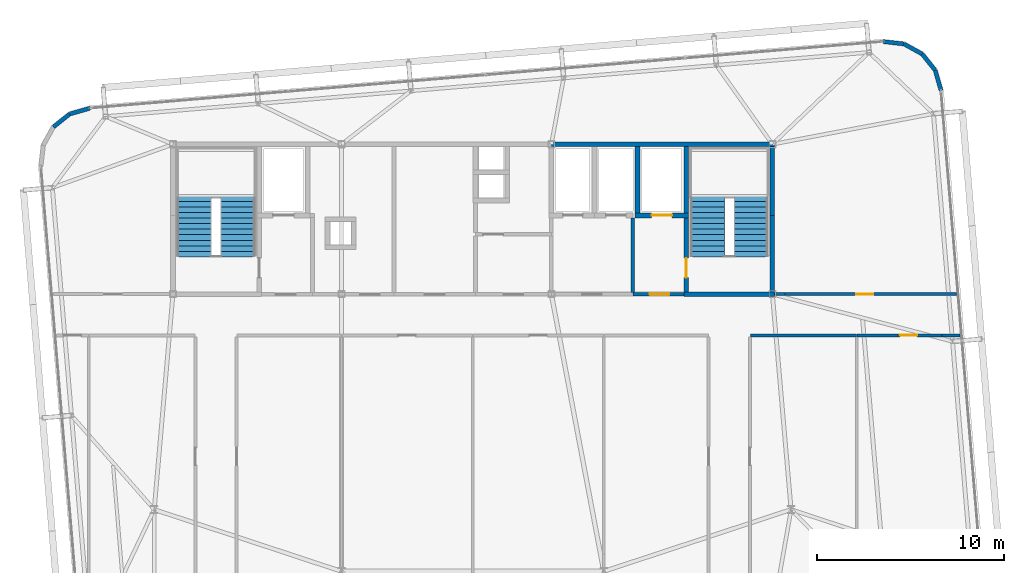
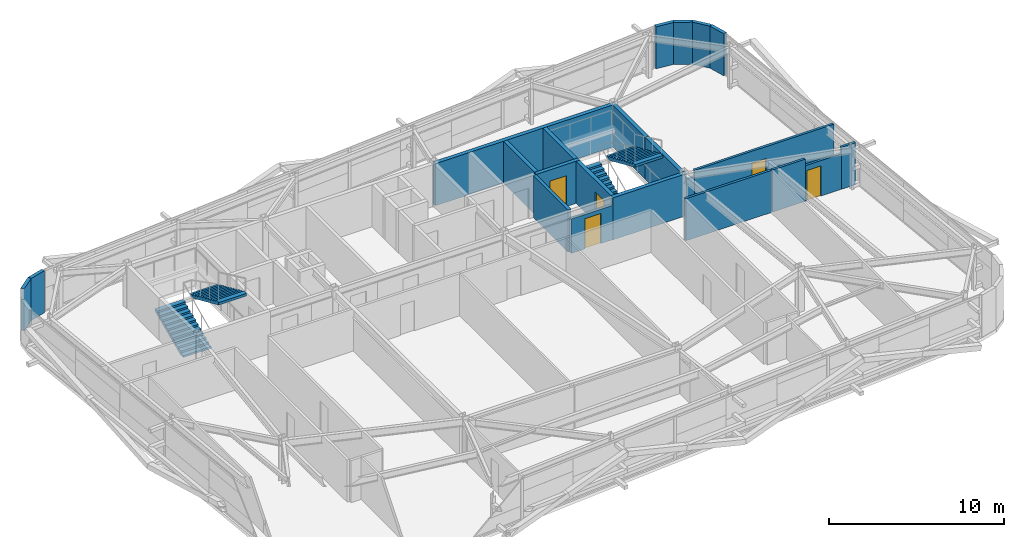
# One storey, part 37 of 39: 22 walls, 5 doors, 4 stair flights, 5 openings, 2 elements without a shape of their own.
"""IFC4 building model written with IfcOpenShell, lengths in metres."""

from ifc_helpers import new_model, si_unit, direction, frame, frame_2d, origin, place, context, subcontext, project, spatial, polyline, rectangle, outline, extrude, source, transform, mapped, material, layer, layer_set, type_object, element, fill, aggregate, save


model = new_model("IFC4")

# Units and contexts
model_context = context("Model", 3, precision=1e-05, world=origin(), true_north=direction((0.0, 1.0)))
body_context = subcontext(model_context, "Body", "Model", "MODEL_VIEW")
ifc_project = project(units=[si_unit("LENGTHUNIT", "METRE"), si_unit("AREAUNIT", "SQUARE_METRE"), si_unit("VOLUMEUNIT", "CUBIC_METRE"), si_unit("PLANEANGLEUNIT", "RADIAN"), si_unit("MASSUNIT", "GRAM", prefix="KILO")], contexts=[model_context])

# Site, building, storey
site_placement = place(None, origin())
site = spatial("IfcSite", under=ifc_project, at=site_placement, CompositionType="ELEMENT")
building_placement = place(site_placement, origin())
building = spatial("IfcBuilding", under=site, at=building_placement, Name="Taldren Reach Tower", CompositionType="ELEMENT")
storey_placement = place(building_placement, frame((0.0, 0.0, 175.699951171875)))
storey = spatial("IfcBuildingStorey", under=building, at=storey_placement, Name="L53", CompositionType="ELEMENT", Elevation=175.699951171875)

# Walls
ifc_material_1 = material(Name="Pale Champagne Anodised Aluminium Cladding", Category="aluminium")
ifc_layer_1 = layer(ifc_material_1, 0.04, Name="Pale Champagne Anodised Aluminium Cladding", Category="aluminium")
ifc_material_2 = material(Name="Mineral Wool Acoustic Insulation", Category="insulation")
ifc_layer_2 = layer(ifc_material_2, 0.06, Name="Mineral Wool Acoustic Insulation", Category="insulation")
ifc_material_3 = material(Name="Steel Gr 350 (C350L0)", Category="steel")
ifc_layer_3 = layer(ifc_material_3, 0.12, Name="Steel Gr 350 (C350L0)", Category="steel")
ifc_layer_set_1 = layer_set([ifc_layer_1, ifc_layer_2, ifc_layer_3], Name="Pale Champagne Aluminium Cladding and Steel Gr 350 Stud Framing")
wall_type_1 = type_object("IfcWallType", Name="EW-CRN-220", PredefinedType="SOLIDWALL", material=ifc_layer_set_1)
shared_shape_1 = source(origin(), body_context, "Body", "SweptSolid", [
    extrude(rectangle(XDim=1.115966796875, YDim=0.219970703125, at=frame_2d((0.55810546875, 0.0))), origin(), (0.0, 0.0, 1.0), 2.929931640625),
])
for number, where, z_axis, x_axis, name in (
    (1, (60.004150390625, 34.870361328125, 0.0), (0.0, 0.0, 1.0), (-0.276512002475, 0.961010464297, 0.0), "Rounded-corner pale-metal facade wall L53-NE1"),
    (2, (59.695556640625, 35.94287109375, 0.0), (0.0, 0.0, 1.0), (-0.623092886403, 0.782147847222, 0.0), "Rounded-corner pale-metal facade wall L53-NE2"),
    (3, (59.000244140625, 36.815673828125, 0.0), (0.0, 0.0, 1.0), (-0.875105012065, 0.483933071672, 0.0), "Rounded-corner pale-metal facade wall L53-NE3"),
    (4, (58.023681640625, 37.355712890625, 0.0), (0.0, 0.0, 1.0), (-0.993657581277, 0.112448259968, 0.0), "Rounded-corner pale-metal facade wall L53-NE4"),
    (5, (14.56396484375, 33.9248046875, 0.0), (0.0, 0.0, 1.0), (-0.961010464297, -0.276512002475, 0.0), "Rounded-corner pale-metal facade wall L53-NW1"),
):
    element("IfcWall", number, at=place(storey_placement, frame(where, z_axis=z_axis, x_axis=x_axis)), inside=storey, type_object=wall_type_1, Name=name, PredefinedType="SOLIDWALL", context=body_context, shape_type="MappedRepresentation", body=[
        mapped(shared_shape_1, transform((0.0, 0.0, 0.0), scale=1.0)),
    ])
shared_shape_2 = source(origin(), body_context, "Body", "SweptSolid", [
    extrude(rectangle(XDim=1.11572265625, YDim=0.219970703125, at=frame_2d((0.557861328125, 0.0))), origin(), (0.0, 0.0, 1.0), 2.929931640625),
])
wall_1_placement = place(storey_placement, frame((13.491455078125, 33.6162109375, 0.0), z_axis=(0.0, 0.0, 1.0), x_axis=(-0.782062884215, -0.623199522732, 0.0)))
element("IfcWall", 6, at=wall_1_placement, inside=storey, type_object=wall_type_1, Name="Rounded-corner pale-metal facade wall L53-NW2", PredefinedType="SOLIDWALL", context=body_context, shape_type="MappedRepresentation", body=[
    mapped(shared_shape_2, transform((0.0, 0.0, 0.0), scale=1.0)),
])
ifc_material_4 = material(Name="Concrete S65 (65 MPa)", Category="concrete")
ifc_layer_4 = layer(ifc_material_4, 0.25)
ifc_layer_set_2 = layer_set([ifc_layer_4], Name="Concrete S65 (65 MPa)")
wall_type_2 = type_object("IfcWallType", Name="IW-CORE-250", PredefinedType="SHEAR", material=ifc_layer_set_2)
shared_shape_3 = source(origin(), body_context, "Body", "SweptSolid", [
    extrude(rectangle(XDim=11.925048828125, YDim=0.25, at=frame_2d((5.96240234375, 0.0))), origin(), (0.0, 0.0, 1.0), 2.929931640625),
])
wall_2_placement = place(storey_placement, frame((39.199951171875, 32.0, 0.0), z_axis=(0.0, 0.0, 1.0), x_axis=(1.0, 0.0, 0.0)))
element("IfcWall", 7, at=wall_2_placement, inside=storey, type_object=wall_type_2, Name="Rear Core Shear Wall W-CORE-L53-NORTH3", PredefinedType="SHEAR", context=body_context, shape_type="MappedRepresentation", body=[
    mapped(shared_shape_3, transform((0.0, 0.0, 0.0), scale=1.0)),
])
shared_shape_4 = source(origin(), body_context, "Body", "SweptSolid", [
    extrude(rectangle(XDim=4.074951171875, YDim=0.25, at=frame_2d((2.03759765625, 0.0))), origin(), (0.0, 0.0, 1.0), 2.929931640625),
])
wall_3_placement = place(storey_placement, frame((51.0, 24.125, 0.0), z_axis=(0.0, 0.0, 1.0), x_axis=(0.0, 1.0, 0.0)))
element("IfcWall", 8, at=wall_3_placement, inside=storey, type_object=wall_type_2, Name="Rear Core Shear Wall W-CORE-L53-EAST1", PredefinedType="SHEAR", context=body_context, shape_type="MappedRepresentation", body=[
    mapped(shared_shape_4, transform((0.0, 0.0, 0.0), scale=1.0)),
])
shared_shape_5 = source(origin(), body_context, "Body", "SweptSolid", [
    extrude(rectangle(XDim=3.675048828125, YDim=0.25, at=frame_2d((1.83740234375, 0.0))), origin(), (0.0, 0.0, 1.0), 2.929931640625),
])
wall_4_placement = place(storey_placement, frame((51.0, 28.199951171875, 0.0), z_axis=(0.0, 0.0, 1.0), x_axis=(0.0, 1.0, 0.0)))
element("IfcWall", 9, at=wall_4_placement, inside=storey, type_object=wall_type_2, Name="Rear Core Shear Wall W-CORE-L53-EAST2", PredefinedType="SHEAR", context=body_context, shape_type="MappedRepresentation", body=[
    mapped(shared_shape_5, transform((0.0, 0.0, 0.0), scale=1.0)),
])
shared_shape_6 = source(origin(), body_context, "Body", "SweptSolid", [
    extrude(rectangle(XDim=3.550048828125, YDim=0.25, at=frame_2d((1.77490234375, 0.0))), origin(), (0.0, 0.0, 1.0), 2.929931640625),
])
for number, where, z_axis, x_axis, name in (
    (10, (46.39990234375, 31.875, 0.0), (0.0, 0.0, 1.0), (0.0, -1.0, 0.0), "Rear Core Shear Wall W-INT-L53-008"),
    (11, (43.800048828125, 31.875, 0.0), (0.0, 0.0, 1.0), (0.0, -1.0, 0.0), "Rear Core Shear Wall W-INT-L53-012"),
):
    element("IfcWall", number, at=place(storey_placement, frame(where, z_axis=z_axis, x_axis=x_axis)), inside=storey, type_object=wall_type_2, Name=name, PredefinedType="SHEAR", context=body_context, shape_type="MappedRepresentation", body=[
        mapped(shared_shape_6, transform((0.0, 0.0, 0.0), scale=1.0)),
    ])

# Wall, opening, door
shared_shape_7 = source(origin(), body_context, "Body", "SweptSolid", [
    extrude(rectangle(XDim=3.949951171875, YDim=0.25, at=frame_2d((1.97509765625, 0.0))), origin(), (0.0, 0.0, 1.0), 2.929931640625),
])
wall_5_placement = place(storey_placement, frame((46.39990234375, 28.074951171875, 0.0), z_axis=(0.0, 0.0, 1.0), x_axis=(0.0, -1.0, 0.0)))
wall_5 = element("IfcWall", 12, at=wall_5_placement, inside=storey, type_object=wall_type_2, Name="Rear Core Shear Wall W-INT-L53-009", PredefinedType="SHEAR", context=body_context, shape_type="MappedRepresentation", body=[
    mapped(shared_shape_7, transform((0.0, 0.0, 0.0), scale=1.0)),
])
shared_shape_8 = source(origin(), body_context, "Body", "SweptSolid", [
    extrude(rectangle(XDim=1.050048828125, YDim=2.10009765625, at=frame_2d((0.52490234375, 1.050048828125))), frame((0.0, 0.135009765625, 0.0), z_axis=(0.0, -1.0, 0.0), x_axis=(1.0, 0.0, 0.0)), (0.0, 0.0, 1.0), 0.27001953125),
])
opening_1_placement = place(wall_5_placement, frame((2.14990234375, 0.0, 0.0)))
opening_1 = element("IfcOpeningElement", 13, at=opening_1_placement, cuts=wall_5, Name="Opening DF-105", PredefinedType="OPENING", context=body_context, shape_type="MappedRepresentation", body=[
    mapped(shared_shape_8, transform((0.0, 0.0, 0.0), scale=1.0)),
])
ifc_material_5 = material(Name="Fire-Rated Care and Stair Exit Door")
door_type_1 = type_object("IfcDoorType", Name="ID-FIRE-105", OperationType="NOTDEFINED", PredefinedType="DOOR", material=ifc_material_5)
shared_shape_9 = source(origin(), body_context, "Body", "SweptSolid", [
    extrude(rectangle(XDim=1.050048828125, YDim=2.10009765625, at=frame_2d((0.52490234375, 1.050048828125))), frame((0.0, 0.02490234375, 0.0), z_axis=(0.0, -1.0, 0.0), x_axis=(1.0, 0.0, 0.0)), (0.0, 0.0, 1.0), 0.050048828125),
])
door_1_placement = place(opening_1_placement, origin())
door_1 = element("IfcDoor", 14, at=door_1_placement, inside=storey, type_object=door_type_1, Name="Fire Exit Stair Door DR-L53-003", OperationType="SINGLE_SWING_RIGHT", OverallHeight=2.10009765625, OverallWidth=1.050048828125, PredefinedType="DOOR", context=body_context, shape_type="MappedRepresentation", body=[
    mapped(shared_shape_9, transform((0.0, 0.0, 0.0), scale=1.0)),
])
fill(opening_1, door_1)

# Wall
shared_shape_10 = source(origin(), body_context, "Body", "SweptSolid", [
    extrude(rectangle(XDim=4.85009765625, YDim=0.25, at=frame_2d((2.425048828125, 0.0))), origin(), (0.0, 0.0, 1.0), 2.929931640625),
])
wall_6_placement = place(storey_placement, frame((46.27490234375, 24.0, 0.0), z_axis=(0.0, 0.0, 1.0), x_axis=(1.0, 0.0, 0.0)))
element("IfcWall", 15, at=wall_6_placement, inside=storey, type_object=wall_type_2, Name="Rear Core Shear Wall W-INT-L53-010", PredefinedType="SHEAR", context=body_context, shape_type="MappedRepresentation", body=[
    mapped(shared_shape_10, transform((0.0, 0.0, 0.0), scale=1.0)),
])

# Wall, opening, door
shared_shape_11 = source(origin(), body_context, "Body", "SweptSolid", [
    extrude(rectangle(XDim=2.849853515625, YDim=0.25, at=frame_2d((1.4248046875, 0.0))), origin(), (0.0, 0.0, 1.0), 2.929931640625),
])
wall_7_placement = place(storey_placement, frame((43.675048828125, 28.199951171875, 0.0), z_axis=(0.0, 0.0, 1.0), x_axis=(1.0, 0.0, 0.0)))
wall_7 = element("IfcWall", 16, at=wall_7_placement, inside=storey, type_object=wall_type_2, Name="Rear Core Shear Wall W-INT-L53-011", PredefinedType="SHEAR", context=body_context, shape_type="MappedRepresentation", body=[
    mapped(shared_shape_11, transform((0.0, 0.0, 0.0), scale=1.0)),
])
shared_shape_12 = source(origin(), body_context, "Body", "SweptSolid", [
    extrude(rectangle(XDim=1.10009765625, YDim=2.14990234375, at=frame_2d((0.550048828125, 1.074951171875))), frame((0.0, 0.135009765625, 0.0), z_axis=(0.0, -1.0, 0.0), x_axis=(1.0, 0.0, 0.0)), (0.0, 0.0, 1.0), 0.27001953125),
])
opening_2_placement = place(wall_7_placement, frame((0.875, 0.0, 0.0)))
opening_2 = element("IfcOpeningElement", 17, at=opening_2_placement, cuts=wall_7, Name="Opening LD-FL2", PredefinedType="OPENING", context=body_context, shape_type="MappedRepresentation", body=[
    mapped(shared_shape_12, transform((0.0, 0.0, 0.0), scale=1.0)),
])
ifc_material_6 = material(Name="Stainless Steel Gr 316 Emergency Lift Landing Door", Category="steel")
door_type_2 = type_object("IfcDoorType", Name="LD-EMG-110", OperationType="SLIDING_TO_LEFT", PredefinedType="DOOR", material=ifc_material_6)
shared_shape_13 = source(origin(), body_context, "Body", "SweptSolid", [
    extrude(rectangle(XDim=1.10009765625, YDim=2.14990234375, at=frame_2d((0.550048828125, 1.074951171875))), frame((0.0, 0.02490234375, 0.0), z_axis=(0.0, -1.0, 0.0), x_axis=(1.0, 0.0, 0.0)), (0.0, 0.0, 1.0), 0.050048828125),
])
door_2_placement = place(opening_2_placement, origin())
door_2 = element("IfcDoor", 18, at=door_2_placement, inside=storey, type_object=door_type_2, Name="Lift Landing Door LD-FL2-L53", OperationType="SLIDING_TO_LEFT", OverallHeight=2.14990234375, OverallWidth=1.10009765625, PredefinedType="DOOR", context=body_context, shape_type="MappedRepresentation", body=[
    mapped(shared_shape_13, transform((0.0, 0.0, 0.0), scale=1.0)),
])
fill(opening_2, door_2)

# Wall
ifc_material_7 = material(Name="Concrete S50 (50 MPa)", Category="concrete")
ifc_layer_5 = layer(ifc_material_7, 0.199951171875)
ifc_layer_set_3 = layer_set([ifc_layer_5], Name="Concrete S50 (50 MPa)")
wall_type_3 = type_object("IfcWallType", Name="IW-CORE-200", PredefinedType="SOLIDWALL", material=ifc_layer_set_3)
shared_shape_14 = source(origin(), body_context, "Body", "SweptSolid", [
    extrude(rectangle(XDim=3.974853515625, YDim=0.199951171875, at=frame_2d((1.9873046875, 0.0))), origin(), (0.0, 0.0, 1.0), 2.929931640625),
])
wall_8_placement = place(storey_placement, frame((43.550048828125, 28.074951171875, 0.0), z_axis=(0.0, 0.0, 1.0), x_axis=(0.0, -1.0, 0.0)))
element("IfcWall", 19, at=wall_8_placement, inside=storey, type_object=wall_type_3, Name="Rear Core Shear Wall W-INT-L53-013", PredefinedType="SOLIDWALL", context=body_context, shape_type="MappedRepresentation", body=[
    mapped(shared_shape_14, transform((0.0, 0.0, 0.0), scale=1.0)),
])

# Wall, opening, door
shared_shape_15 = source(origin(), body_context, "Body", "SweptSolid", [
    extrude(rectangle(XDim=2.724853515625, YDim=0.199951171875, at=frame_2d((1.3623046875, 0.0))), origin(), (0.0, 0.0, 1.0), 2.39697265625),
])
wall_9_placement = place(storey_placement, frame((43.550048828125, 24.0, 0.0), z_axis=(0.0, 0.0, 1.0), x_axis=(1.0, 0.0, 0.0)))
wall_9 = element("IfcWall", 20, at=wall_9_placement, inside=storey, type_object=wall_type_3, Name="Rear Core Shear Wall W-INT-L53-014", PredefinedType="SOLIDWALL", context=body_context, shape_type="MappedRepresentation", body=[
    mapped(shared_shape_15, transform((0.0, 0.0, 0.0), scale=1.0)),
])
shared_shape_16 = source(origin(), body_context, "Body", "SweptSolid", [
    extrude(rectangle(XDim=1.050048828125, YDim=2.10009765625, at=frame_2d((0.52490234375, 1.050048828125))), frame((0.0, 0.10986328125, 0.0), z_axis=(0.0, -1.0, 0.0), x_axis=(1.0, 0.0, 0.0)), (0.0, 0.0, 1.0), 0.219970703125),
])
opening_3_placement = place(wall_9_placement, frame((0.89990234375, 0.0, 0.0)))
opening_3 = element("IfcOpeningElement", 21, at=opening_3_placement, cuts=wall_9, Name="Opening DF-105", PredefinedType="OPENING", context=body_context, shape_type="MappedRepresentation", body=[
    mapped(shared_shape_16, transform((0.0, 0.0, 0.0), scale=1.0)),
])
door_3_placement = place(opening_3_placement, origin())
door_3 = element("IfcDoor", 22, at=door_3_placement, inside=storey, type_object=door_type_1, Name="Interior Door DR-L53-004", OperationType="SINGLE_SWING_LEFT", OverallHeight=2.10009765625, OverallWidth=1.050048828125, PredefinedType="DOOR", context=body_context, shape_type="MappedRepresentation", body=[
    mapped(shared_shape_9, transform((0.0, 0.0, 0.0), scale=1.0)),
])
fill(opening_3, door_3)

# Walls
ifc_material_8 = material(Name="Fire-Rated Acoustic Plasterboard Stud Wall", Category="gypsum")
ifc_layer_6 = layer(ifc_material_8, 0.159912109375)
ifc_layer_set_4 = layer_set([ifc_layer_6], Name="Fire-Rated Acoustic Plasterboard Stud Wall")
wall_type_4 = type_object("IfcWallType", Name="IW-FIRE-160", PredefinedType="PARTITIONING", material=ifc_layer_set_4)
shared_shape_17 = source(origin(), body_context, "Body", "SweptSolid", [
    extrude(rectangle(XDim=5.659423828125, YDim=0.159912109375, at=frame_2d((2.82958984375, 0.0))), origin(), (0.0, 0.0, 1.0), 2.929931640625),
])
wall_10_placement = place(storey_placement, frame((55.479736328125, 21.800048828125, 0.0), z_axis=(0.0, 0.0, 1.0), x_axis=(-1.0, 0.0, 0.0)))
element("IfcWall", 23, at=wall_10_placement, inside=storey, type_object=wall_type_4, Name="Interior Partition Wall W-INT-L53-054", PredefinedType="PARTITIONING", context=body_context, shape_type="MappedRepresentation", body=[
    mapped(shared_shape_17, transform((0.0, 0.0, 0.0), scale=1.0)),
])
shared_shape_18 = source(origin(), body_context, "Body", "SweptSolid", [
    extrude(rectangle(XDim=0.5556640625, YDim=0.159912109375, at=frame_2d((0.27783203125, 0.0))), origin(), (0.0, 0.0, 1.0), 2.469970703125),
])
wall_11_placement = place(storey_placement, frame((51.125, 24.0, 0.0), z_axis=(0.0, 0.0, 1.0), x_axis=(1.0, 0.0, 0.0)))
element("IfcWall", 24, at=wall_11_placement, inside=storey, type_object=wall_type_4, Name="Interior Partition Wall W-INT-L53-048", PredefinedType="PARTITIONING", context=body_context, shape_type="MappedRepresentation", body=[
    mapped(shared_shape_18, transform((0.0, 0.0, 0.0), scale=1.0)),
])

# Wall, opening, door
shared_shape_19 = source(origin(), body_context, "Body", "SweptSolid", [
    extrude(rectangle(XDim=9.15283203125, YDim=0.159912109375, at=frame_2d((4.576416015625, 0.0))), origin(), (0.0, 0.0, 1.0), 2.929931640625),
])
wall_12_placement = place(storey_placement, frame((51.6806640625, 24.0, 0.0), z_axis=(0.0, 0.0, 1.0), x_axis=(1.0, 0.0, 0.0)))
wall_12 = element("IfcWall", 25, at=wall_12_placement, inside=storey, type_object=wall_type_4, Name="Interior Partition Wall W-INT-L53-048 part 2", PredefinedType="PARTITIONING", context=body_context, shape_type="MappedRepresentation", body=[
    mapped(shared_shape_19, transform((0.0, 0.0, 0.0), scale=1.0)),
])
shared_shape_20 = source(origin(), body_context, "Body", "SweptSolid", [
    extrude(rectangle(XDim=0.919921875, YDim=2.10009765625, at=frame_2d((0.4599609375, 1.050048828125))), frame((0.0, 0.08984375, 0.0), z_axis=(0.0, -1.0, 0.0), x_axis=(1.0, 0.0, 0.0)), (0.0, 0.0, 1.0), 0.179931640625),
])
opening_4_placement = place(wall_12_placement, frame((3.7861328125, 0.0, 0.0)))
opening_4 = element("IfcOpeningElement", 26, at=opening_4_placement, cuts=wall_12, Name="Opening DI-092", PredefinedType="OPENING", context=body_context, shape_type="MappedRepresentation", body=[
    mapped(shared_shape_20, transform((0.0, 0.0, 0.0), scale=1.0)),
])
ifc_material_9 = material(Name="Solid-Core Timber Suite Door", Category="wood")
door_type_3 = type_object("IfcDoorType", Name="ID-INT-092", OperationType="NOTDEFINED", PredefinedType="DOOR", material=ifc_material_9)
shared_shape_21 = source(origin(), body_context, "Body", "SweptSolid", [
    extrude(rectangle(XDim=0.919921875, YDim=2.10009765625, at=frame_2d((0.4599609375, 1.050048828125))), frame((0.0, 0.02490234375, 0.0), z_axis=(0.0, -1.0, 0.0), x_axis=(1.0, 0.0, 0.0)), (0.0, 0.0, 1.0), 0.050048828125),
])
door_4_placement = place(opening_4_placement, origin())
door_4 = element("IfcDoor", 27, at=door_4_placement, inside=storey, type_object=door_type_3, Name="Interior Door DR-L53-015", OperationType="SINGLE_SWING_RIGHT", OverallHeight=2.10009765625, OverallWidth=0.919921875, PredefinedType="DOOR", context=body_context, shape_type="MappedRepresentation", body=[
    mapped(shared_shape_21, transform((0.0, 0.0, 0.0), scale=1.0)),
])
fill(opening_4, door_4)

# Wall
shared_shape_22 = source(origin(), body_context, "Body", "SweptSolid", [
    extrude(rectangle(XDim=0.9453125, YDim=0.159912109375, at=frame_2d((0.47265625, 0.0))), origin(), (0.0, 0.0, 1.0), 2.929931640625),
])
wall_13_placement = place(storey_placement, frame((61.004638671875, 21.800048828125, 0.0), z_axis=(0.0, 0.0, 1.0), x_axis=(-1.0, 0.0, 0.0)))
element("IfcWall", 28, at=wall_13_placement, inside=storey, type_object=wall_type_4, Name="Interior Partition Wall W-INT-L53-056", PredefinedType="PARTITIONING", context=body_context, shape_type="MappedRepresentation", body=[
    mapped(shared_shape_22, transform((0.0, 0.0, 0.0), scale=1.0)),
])

# Wall, opening, door
shared_shape_23 = source(origin(), body_context, "Body", "SweptSolid", [
    extrude(rectangle(XDim=2.35693359375, YDim=0.159912109375, at=frame_2d((1.178466796875, 0.0))), origin(), (0.0, 0.0, 1.0), 2.469970703125),
])
wall_14_placement = place(storey_placement, frame((60.059326171875, 21.800048828125, 0.0), z_axis=(0.0, 0.0, 1.0), x_axis=(-1.0, 0.0, 0.0)))
wall_14 = element("IfcWall", 29, at=wall_14_placement, inside=storey, type_object=wall_type_4, Name="Interior Partition Wall W-INT-L53-056 part 2", PredefinedType="PARTITIONING", context=body_context, shape_type="MappedRepresentation", body=[
    mapped(shared_shape_23, transform((0.0, 0.0, 0.0), scale=1.0)),
])
opening_5_placement = place(wall_14_placement, frame((1.3369140625, 0.0, 0.0)))
opening_5 = element("IfcOpeningElement", 30, at=opening_5_placement, cuts=wall_14, Name="Opening DI-092", PredefinedType="OPENING", context=body_context, shape_type="MappedRepresentation", body=[
    mapped(shared_shape_20, transform((0.0, 0.0, 0.0), scale=1.0)),
])
door_5_placement = place(opening_5_placement, origin())
door_5 = element("IfcDoor", 31, at=door_5_placement, inside=storey, type_object=door_type_3, Name="Interior Door DR-L53-019", OperationType="SINGLE_SWING_RIGHT", OverallHeight=2.10009765625, OverallWidth=0.919921875, PredefinedType="DOOR", context=body_context, shape_type="MappedRepresentation", body=[
    mapped(shared_shape_21, transform((0.0, 0.0, 0.0), scale=1.0)),
])
fill(opening_5, door_5)

# Wall
shared_shape_24 = source(origin(), body_context, "Body", "SweptSolid", [
    extrude(rectangle(XDim=2.18212890625, YDim=0.159912109375, at=frame_2d((1.091064453125, 0.0))), origin(), (0.0, 0.0, 1.0), 2.929931640625),
])
wall_15_placement = place(storey_placement, frame((57.702392578125, 21.800048828125, 0.0), z_axis=(0.0, 0.0, 1.0), x_axis=(-1.0, 0.0, 0.0)))
element("IfcWall", 32, at=wall_15_placement, inside=storey, type_object=wall_type_4, Name="Interior Partition Wall W-INT-L53-056 part 3", PredefinedType="PARTITIONING", context=body_context, shape_type="MappedRepresentation", body=[
    mapped(shared_shape_24, transform((0.0, 0.0, 0.0), scale=1.0)),
])

# Stair, stair flights
stair_type = type_object("IfcStairType", Name="ST-HT-315", PredefinedType="HALF_TURN_STAIR", material=ifc_material_7)
stair_1_placement = place(storey_placement, origin())
stair_1 = element("IfcStair", 33, at=stair_1_placement, inside=storey, type_object=stair_type, Name="Fire-isolated exit stair ST1 L53", PredefinedType="HALF_TURN_STAIR")
stair_flight_type = type_object("IfcStairFlightType", Name="SF-STR-315", PredefinedType="STRAIGHT", material=ifc_material_7)
stair_flight_1_placement = place(storey_placement, frame((20.139892578125, 25.989990234375, 0.0), z_axis=(0.0, 0.0, 1.0), x_axis=(0.0, 1.0, 0.0)))
stair_flight_1 = element("IfcStairFlight", 34, at=stair_flight_1_placement, type_object=stair_flight_type, Name="ST1 flight 1", NumberOfRisers=12, NumberOfTreads=11, PredefinedType="STRAIGHT", RiserHeight=0.13125, TreadLength=0.295, context=body_context, shape_type="SweptSolid", body=[
    extrude(outline(polyline([(0.0, 0.0), (0.0, 0.13134765625), (0.294921875, 0.13134765625), (0.294921875, 0.262451171875), (0.590087890625, 0.262451171875), (0.590087890625, 0.393798828125), (0.885009765625, 0.393798828125), (0.885009765625, 0.52490234375), (1.179931640625, 0.52490234375), (1.179931640625, 0.65625), (1.47509765625, 0.65625), (1.47509765625, 0.78759765625), (1.77001953125, 0.78759765625), (1.77001953125, 0.918701171875), (2.06494140625, 0.918701171875), (2.06494140625, 1.050048828125), (2.360107421875, 1.050048828125), (2.360107421875, 1.18115234375), (2.655029296875, 1.18115234375), (2.655029296875, 1.3125), (2.949951171875, 1.3125), (2.949951171875, 1.44384765625), (3.2451171875, 1.44384765625), (3.2451171875, 1.574951171875), (3.2451171875, 1.268798828125), (0.393310546875, 0.0), (0.0, 0.0)])), frame((0.0, 0.919921875, 0.0), z_axis=(0.0, -1.0, 0.0), x_axis=(1.0, 0.0, 0.0)), (0.0, 0.0, 1.0), 1.840087890625),
])
stair_flight_2_placement = place(storey_placement, frame((22.4599609375, 29.235107421875, 1.574951171875), z_axis=(0.0, 0.0, 1.0), x_axis=(0.0, -1.0, 0.0)))
stair_flight_2 = element("IfcStairFlight", 35, at=stair_flight_2_placement, type_object=stair_flight_type, Name="ST1 flight 2", NumberOfRisers=12, NumberOfTreads=11, PredefinedType="STRAIGHT", RiserHeight=0.13125, TreadLength=0.295, context=body_context, shape_type="SweptSolid", body=[
    extrude(outline(polyline([(0.0, 0.0), (0.0, 0.13134765625), (0.294921875, 0.13134765625), (0.294921875, 0.262451171875), (0.590087890625, 0.262451171875), (0.590087890625, 0.393798828125), (0.885009765625, 0.393798828125), (0.885009765625, 0.52490234375), (1.179931640625, 0.52490234375), (1.179931640625, 0.65625), (1.47509765625, 0.65625), (1.47509765625, 0.78759765625), (1.77001953125, 0.78759765625), (1.77001953125, 0.918701171875), (2.06494140625, 0.918701171875), (2.06494140625, 1.050048828125), (2.360107421875, 1.050048828125), (2.360107421875, 1.18115234375), (2.655029296875, 1.18115234375), (2.655029296875, 1.3125), (2.949951171875, 1.3125), (2.949951171875, 1.44384765625), (3.2451171875, 1.44384765625), (3.2451171875, 1.574951171875), (3.2451171875, 1.268798828125), (0.393310546875, 0.0), (0.0, 0.0)])), frame((0.0, 0.919921875, 0.0), z_axis=(0.0, -1.0, 0.0), x_axis=(1.0, 0.0, 0.0)), (0.0, 0.0, 1.0), 1.840087890625),
])
aggregate(stair_1, [stair_flight_1, stair_flight_2])

stair_2_placement = place(storey_placement, origin())
stair_2 = element("IfcStair", 36, at=stair_2_placement, inside=storey, type_object=stair_type, Name="Fire-isolated exit stair ST2 L53", PredefinedType="HALF_TURN_STAIR")
stair_flight_3_placement = place(storey_placement, frame((47.5400390625, 25.989990234375, 0.0), z_axis=(0.0, 0.0, 1.0), x_axis=(0.0, 1.0, 0.0)))
stair_flight_3 = element("IfcStairFlight", 37, at=stair_flight_3_placement, type_object=stair_flight_type, Name="ST2 flight 1", NumberOfRisers=12, NumberOfTreads=11, PredefinedType="STRAIGHT", RiserHeight=0.13125, TreadLength=0.295, context=body_context, shape_type="SweptSolid", body=[
    extrude(outline(polyline([(0.0, 0.0), (0.0, 0.13134765625), (0.294921875, 0.13134765625), (0.294921875, 0.262451171875), (0.590087890625, 0.262451171875), (0.590087890625, 0.393798828125), (0.885009765625, 0.393798828125), (0.885009765625, 0.52490234375), (1.179931640625, 0.52490234375), (1.179931640625, 0.65625), (1.47509765625, 0.65625), (1.47509765625, 0.78759765625), (1.77001953125, 0.78759765625), (1.77001953125, 0.918701171875), (2.06494140625, 0.918701171875), (2.06494140625, 1.050048828125), (2.360107421875, 1.050048828125), (2.360107421875, 1.18115234375), (2.655029296875, 1.18115234375), (2.655029296875, 1.3125), (2.949951171875, 1.3125), (2.949951171875, 1.44384765625), (3.2451171875, 1.44384765625), (3.2451171875, 1.574951171875), (3.2451171875, 1.268798828125), (0.393310546875, 0.0), (0.0, 0.0)])), frame((0.0, 0.919921875, 0.0), z_axis=(0.0, -1.0, 0.0), x_axis=(1.0, 0.0, 0.0)), (0.0, 0.0, 1.0), 1.840087890625),
])
stair_flight_4_placement = place(storey_placement, frame((49.860107421875, 29.235107421875, 1.574951171875), z_axis=(0.0, 0.0, 1.0), x_axis=(0.0, -1.0, 0.0)))
stair_flight_4 = element("IfcStairFlight", 38, at=stair_flight_4_placement, type_object=stair_flight_type, Name="ST2 flight 2", NumberOfRisers=12, NumberOfTreads=11, PredefinedType="STRAIGHT", RiserHeight=0.13125, TreadLength=0.295, context=body_context, shape_type="SweptSolid", body=[
    extrude(outline(polyline([(0.0, 0.0), (0.0, 0.13134765625), (0.294921875, 0.13134765625), (0.294921875, 0.262451171875), (0.590087890625, 0.262451171875), (0.590087890625, 0.393798828125), (0.885009765625, 0.393798828125), (0.885009765625, 0.52490234375), (1.179931640625, 0.52490234375), (1.179931640625, 0.65625), (1.47509765625, 0.65625), (1.47509765625, 0.78759765625), (1.77001953125, 0.78759765625), (1.77001953125, 0.918701171875), (2.06494140625, 0.918701171875), (2.06494140625, 1.050048828125), (2.360107421875, 1.050048828125), (2.360107421875, 1.18115234375), (2.655029296875, 1.18115234375), (2.655029296875, 1.3125), (2.949951171875, 1.3125), (2.949951171875, 1.44384765625), (3.2451171875, 1.44384765625), (3.2451171875, 1.574951171875), (3.2451171875, 1.268798828125), (0.393310546875, 0.0), (0.0, 0.0)])), frame((0.0, 0.919921875, 0.0), z_axis=(0.0, -1.0, 0.0), x_axis=(1.0, 0.0, 0.0)), (0.0, 0.0, 1.0), 1.840087890625),
])
aggregate(stair_2, [stair_flight_3, stair_flight_4])

save(model, "model.ifc")
